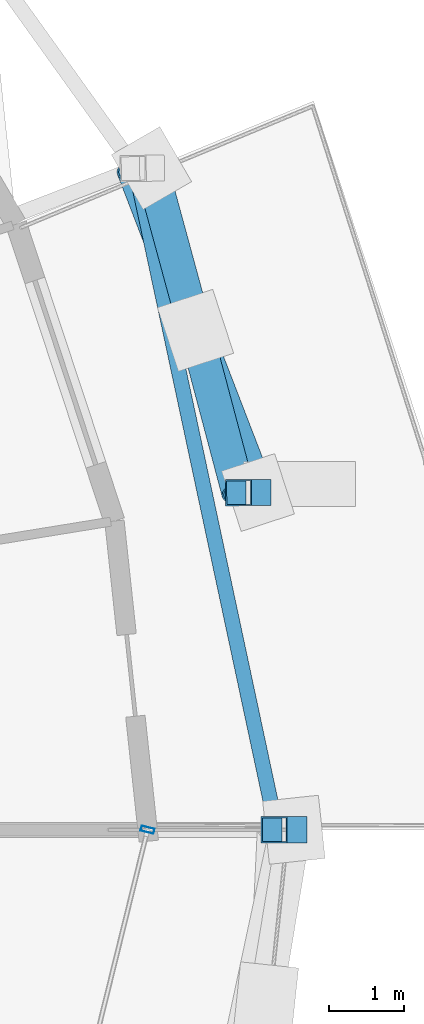
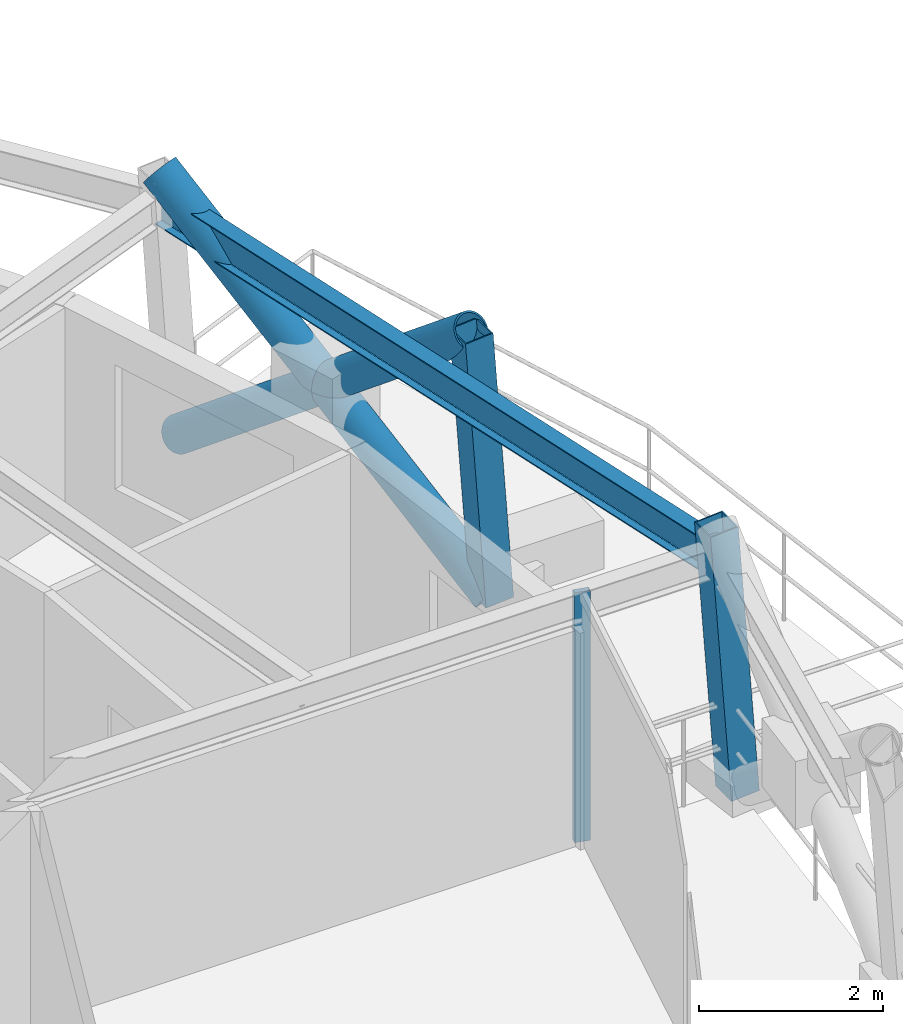
# One storey, part 4 of 12: 6 members, 1 beam, 1 element without a shape of its own.
"""IFC4 building model written with IfcOpenShell, lengths in metres."""

from ifc_helpers import new_model, si_unit, direction, frame, origin, origin_2d, place, context, subcontext, project, spatial, hollow_rectangle, hollow_circle, i_section, extrude, material, layer, layer_set, material_profile, profile_set, type_object, element, aggregate, save


model = new_model("IFC4")

# Units and contexts
model_context = context("Model", 3, precision=1e-05, world=origin(), true_north=direction((0.0, 1.0)))
body_context = subcontext(model_context, "Body", "Model", "MODEL_VIEW")
ifc_project = project(units=[si_unit("LENGTHUNIT", "METRE"), si_unit("AREAUNIT", "SQUARE_METRE"), si_unit("VOLUMEUNIT", "CUBIC_METRE"), si_unit("PLANEANGLEUNIT", "RADIAN"), si_unit("MASSUNIT", "GRAM", prefix="KILO")], contexts=[model_context])

# Site, building, storey
site_placement = place(None, origin())
site = spatial("IfcSite", under=ifc_project, at=site_placement, CompositionType="ELEMENT")
building_placement = place(site_placement, origin())
building = spatial("IfcBuilding", under=site, at=building_placement, Name="Veldorina Hangang Commons", CompositionType="ELEMENT")
storey_placement = place(building_placement, frame((0.0, 0.0, 222.0)))
storey = spatial("IfcBuildingStorey", under=building, at=storey_placement, Name="L57", CompositionType="ELEMENT", Elevation=222.0)

# Beam
ifc_material_1 = material(Name="Steel SM355-TMC", Category="steel")
ifc_material_profile_1 = material_profile(ifc_material_1, i_section(OverallWidth=0.199951171875, OverallDepth=0.449951171875, WebThickness=0.009033203125, FlangeThickness=0.013916015625, FilletRadius=0.01611328125, at=origin_2d()), Name="H-450x200x9x14")
ifc_profile_set_1 = profile_set([ifc_material_profile_1], Name="Steel SM355-TMC")
beam_type = type_object("IfcBeamType", Name="BM-RB450", PredefinedType="BEAM", material=ifc_profile_set_1)
beam_placement = place(storey_placement, frame((56.834716796875, 24.0, 3.135009765625), z_axis=(-0.208739203826, 0.977971341495, 0.0), x_axis=(-0.977971341495, -0.208739203826, 0.0)))
element("IfcBeam", 1, at=beam_placement, inside=storey, type_object=beam_type, Name="L57 perimeter hoop ring beam 00", PredefinedType="BEAM", context=body_context, shape_type="SweptSolid", body=[
    extrude(i_section(OverallWidth=0.199951171875, OverallDepth=0.449951171875, WebThickness=0.009033203125, FlangeThickness=0.013916015625, FilletRadius=0.01611328125, at=origin_2d()), origin(), (0.0, 0.0, 1.0), 9.05615234375),
])

# Curtain wall, member
ifc_material_2 = material(Name="Glass Low-E Selective", Category="glass")
ifc_layer = layer(ifc_material_2, 0.179931640625)
ifc_layer_set = layer_set([ifc_layer], Name="Glass Low-E Selective")
curtain_wall_type = type_object("IfcCurtainWallType", Name="CW-SYS-Z3", PredefinedType="NOTDEFINED", material=ifc_layer_set)
curtain_wall_placement = place(storey_placement, origin())
curtain_wall = element("IfcCurtainWall", 2, at=curtain_wall_placement, inside=storey, type_object=curtain_wall_type, Name="L57 unitised curtain wall CW-L57-R2", PredefinedType="NOTDEFINED")
ifc_material_3 = material(Name="Aluminium Anodized AA6063-T6", Category="aluminium")
ifc_material_profile_2 = material_profile(ifc_material_3, hollow_rectangle(XDim=0.070068359375, YDim=0.179931640625, WallThickness=0.00390625, at=origin_2d()), Name="ALU-RHS-180x70x4")
ifc_profile_set_2 = profile_set([ifc_material_profile_2], Name="Aluminium Anodized AA6063-T6")
member_type_1 = type_object("IfcMemberType", Name="CW-MUL-180", PredefinedType="MULLION", material=ifc_profile_set_2)
member_1_placement = place(storey_placement, frame((55.10546875, 24.0, 0.0), z_axis=(0.0, 0.0, 1.0), x_axis=(-0.239533350884, -0.970888136612, 0.0)))
member_1 = element("IfcMember", 3, at=member_1_placement, type_object=member_type_1, Name="CW-L57-R2 vertical mullion 2", PredefinedType="MULLION", context=body_context, shape_type="SweptSolid", body=[
    extrude(hollow_rectangle(XDim=0.070068359375, YDim=0.179931640625, WallThickness=0.00390625, at=origin_2d()), origin(), (0.0, 0.0, 1.0), 3.320068359375),
])
aggregate(curtain_wall, [member_1])

# Members
ifc_material_profile_3 = material_profile(ifc_material_1, hollow_circle(Radius=0.22509765625, WallThickness=0.02197265625, at=origin_2d()), Name="CHS-450x22")
ifc_profile_set_3 = profile_set([ifc_material_profile_3], Name="Steel SM355-TMC")
member_type_2 = type_object("IfcMemberType", Name="DG-CHS450", PredefinedType="BRACE", material=ifc_profile_set_3)
member_2_placement = place(storey_placement, frame((56.583984375, 28.51708984375, 0.0), z_axis=(-0.284179534139, 0.737870395946, 0.612200352142), x_axis=(-0.933183122063, -0.359401253054, 0.0)))
element("IfcMember", 4, at=member_2_placement, inside=storey, type_object=member_type_2, Name="L57 continuous perimeter diagrid brace 01", PredefinedType="BRACE", context=body_context, shape_type="SweptSolid", body=[
    extrude(hollow_circle(Radius=0.22509765625, WallThickness=0.02197265625, at=origin_2d()), origin(), (0.0, 0.0, 1.0), 5.880615234375),
])
member_3_placement = place(storey_placement, frame((55.157470703125, 32.86083984375, 0.0), z_axis=(0.204732595264, -0.753480299938, 0.624781563462), x_axis=(0.965011138187, 0.26220889225, 0.0)))
element("IfcMember", 5, at=member_3_placement, inside=storey, type_object=member_type_2, Name="L57 split perimeter diagrid lower brace 02", PredefinedType="BRACE", context=body_context, shape_type="SweptSolid", body=[
    extrude(hollow_circle(Radius=0.22509765625, WallThickness=0.02197265625, at=origin_2d()), origin(), (0.0, 0.0, 1.0), 2.883544921875),
])
member_4_placement = place(storey_placement, frame((55.747802734375, 30.688232421875, 1.801513671875), z_axis=(0.200190725087, -0.754806367947, 0.624652719913), x_axis=(0.966581876666, 0.256358100518, 0.0)))
element("IfcMember", 6, at=member_4_placement, inside=storey, type_object=member_type_2, Name="L57 split perimeter diagrid upper brace 02", PredefinedType="BRACE", context=body_context, shape_type="SweptSolid", body=[
    extrude(hollow_circle(Radius=0.22509765625, WallThickness=0.02197265625, at=origin_2d()), origin(), (0.0, 0.0, 1.0), 2.87939453125),
])
ifc_material_profile_4 = material_profile(ifc_material_1, hollow_rectangle(XDim=0.35009765625, YDim=0.35009765625, WallThickness=0.01611328125, at=origin_2d()), Name="SHS-350x350x16")
ifc_profile_set_4 = profile_set([ifc_material_profile_4], Name="Steel SM355-TMC")
member_type_3 = type_object("IfcMemberType", Name="STR-SHS350", PredefinedType="STRUT", material=ifc_profile_set_4)
member_5_placement = place(storey_placement, frame((57.0654296875, 24.0, 0.0), z_axis=(-0.073380905062, 0.0, 0.997303987143), x_axis=(0.0, -1.0, 0.0)))
element("IfcMember", 7, at=member_5_placement, inside=storey, type_object=member_type_3, Name="L57 perimeter ring node post 00", PredefinedType="STRUT", context=body_context, shape_type="SweptSolid", body=[
    extrude(hollow_rectangle(XDim=0.35009765625, YDim=0.35009765625, WallThickness=0.01611328125, at=origin_2d()), origin(), (0.0, 0.0, 1.0), 3.60986328125),
])
member_6_placement = place(storey_placement, frame((56.583984375, 28.51708984375, 0.0), z_axis=(-0.071968044533, -0.000608752256, 0.997406752527), x_axis=(0.00845834403, -0.999964227568, 0.0)))
element("IfcMember", 8, at=member_6_placement, inside=storey, type_object=member_type_3, Name="L57 perimeter ring node post 01", PredefinedType="STRUT", context=body_context, shape_type="SweptSolid", body=[
    extrude(hollow_rectangle(XDim=0.35009765625, YDim=0.35009765625, WallThickness=0.01611328125, at=origin_2d()), origin(), (0.0, 0.0, 1.0), 3.609375),
])

save(model, "model.ifc")
